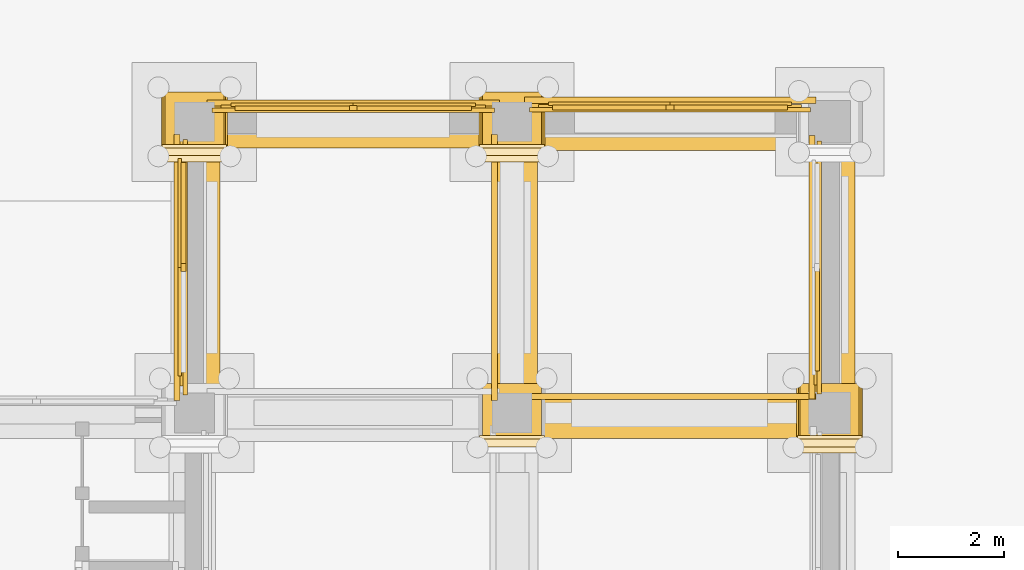
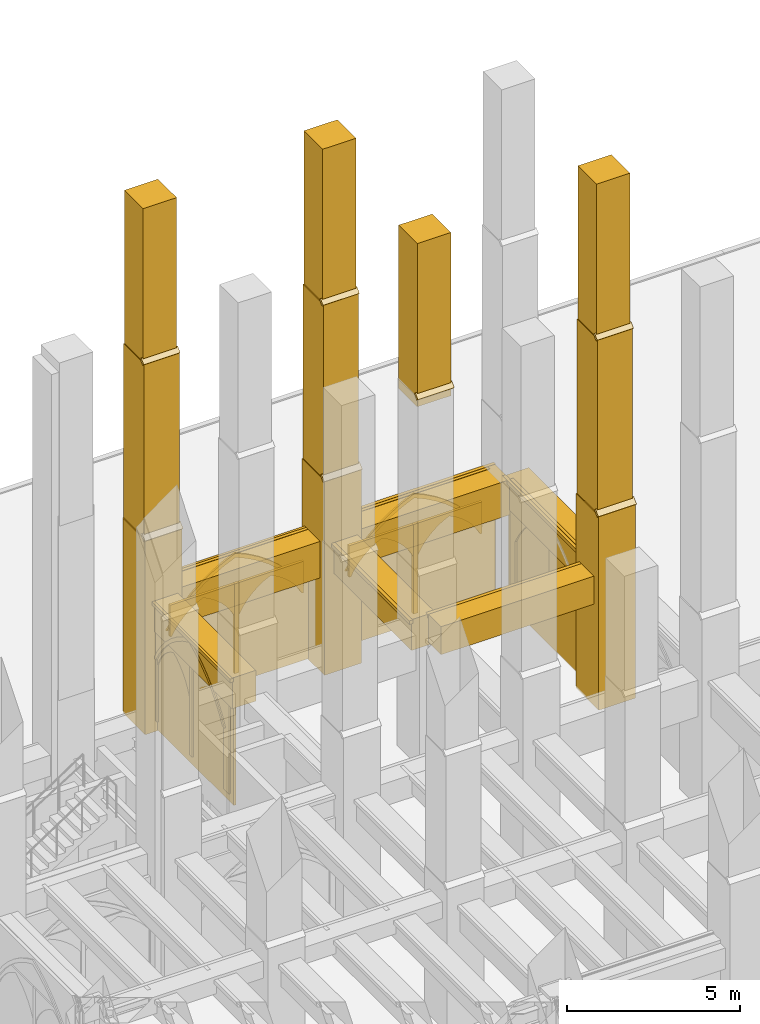
# One storey, part 130 of 135: 49 coverings.
"""IFC4 building model written with IfcOpenShell, lengths in metres."""

from ifc_helpers import new_model, si_unit, direction, frame, origin, origin_2d, place, context, subcontext, project, spatial, polyline, rectangle, outline, extrude, material, type_object, element, save


model = new_model("IFC4")

# Units and contexts
model_context = context("Model", 3, precision=1e-05, world=origin(), true_north=direction((0.0, 1.0)))
body_context = subcontext(model_context, "Body", "Model", "MODEL_VIEW")
ifc_project = project(units=[si_unit("LENGTHUNIT", "METRE"), si_unit("AREAUNIT", "SQUARE_METRE"), si_unit("VOLUMEUNIT", "CUBIC_METRE"), si_unit("PLANEANGLEUNIT", "RADIAN"), si_unit("MASSUNIT", "GRAM", prefix="KILO")], contexts=[model_context])

# Site, building, storey
site_placement = place(None, origin())
site = spatial("IfcSite", under=ifc_project, at=site_placement, CompositionType="ELEMENT")
building_placement = place(site_placement, origin())
building = spatial("IfcBuilding", under=site, at=building_placement, Name="Cumevento Cable Car Station", CompositionType="ELEMENT")
storey_placement = place(building_placement, origin())
storey = spatial("IfcBuildingStorey", under=building, at=storey_placement, Name="L01", CompositionType="ELEMENT", Elevation=0.0)

# Coverings
ifc_material = material(Name="Gnaisse Facoidal Stone Ashlar 85 MPa", Category="masonry")
covering_type = type_object("IfcCoveringType", Name="Gnaisse Ashlar Cladding CV-CL01", PredefinedType="CLADDING", material=ifc_material)
covering_1_placement = place(storey_placement, frame((130.0, 56.409912109375, -0.06005859375), z_axis=(0.0, 0.0, 1.0), x_axis=(1.0, 0.0, 0.0)))
element("IfcCovering", 1, at=covering_1_placement, inside=storey, type_object=covering_type, Name="Stepped Gothic Stone Buttress Tier 1 bt:130.0:56.5", PredefinedType="CLADDING", context=body_context, shape_type="SweptSolid", body=[
    extrude(rectangle(XDim=1.239990234375, YDim=1.300048828125, at=origin_2d()), origin(), (0.0, 0.0, 1.0), 6.885498046875),
])
covering_2_placement = place(storey_placement, frame((129.360107421875, 55.739990234375, 6.8056640625), z_axis=(0.0, -0.711135781079, 0.703054692658), x_axis=(1.0, 0.0, 0.0)))
element("IfcCovering", 2, at=covering_2_placement, inside=storey, type_object=covering_type, Name="Gothic Buttress Sloped Stone Weathering 1 bt:130.0:56.5", PredefinedType="CLADDING", context=body_context, shape_type="SweptSolid", body=[
    extrude(outline(polyline([(0.0, 0.0), (1.27978515625, 0.0), (1.27978515625, 0.24169083397703695), (0.0, 0.24169083397703695), (0.0, 0.0)])), origin(), (0.0, 0.0, -1.0), 0.090087890625),
])
covering_3_placement = place(storey_placement, frame((130.0, 56.469970703125, 6.46337890625), z_axis=(0.0, 0.0, 1.0), x_axis=(1.0, 0.0, 0.0)))
element("IfcCovering", 3, at=covering_3_placement, inside=storey, type_object=covering_type, Name="Stepped Gothic Stone Buttress Tier 2 bt:130.0:56.5", PredefinedType="CLADDING", context=body_context, shape_type="SweptSolid", body=[
    extrude(rectangle(XDim=1.179931640625, YDim=1.179931640625, at=origin_2d()), origin(), (0.0, 0.0, 1.0), 6.523193359375),
])
covering_4_placement = place(storey_placement, frame((129.389892578125, 55.860107421875, 12.96630859375), z_axis=(0.0, -0.714474823669, 0.699661151089), x_axis=(1.0, 0.0, 0.0)))
element("IfcCovering", 4, at=covering_4_placement, inside=storey, type_object=covering_type, Name="Gothic Buttress Sloped Stone Weathering 2 bt:130.0:56.5", PredefinedType="CLADDING", context=body_context, shape_type="SweptSolid", body=[
    extrude(outline(polyline([(0.0, 0.0), (1.22021484375, 0.0), (1.22021484375, 0.21424991728737655), (0.0, 0.21424991728737655), (0.0, 0.0)])), origin(), (0.0, 0.0, -1.0), 0.090087890625),
])
covering_5_placement = place(storey_placement, frame((130.0, 56.52001953125, 12.6240234375), z_axis=(0.0, 0.0, 1.0), x_axis=(1.0, 0.0, 0.0)))
element("IfcCovering", 5, at=covering_5_placement, inside=storey, type_object=covering_type, Name="Stepped Gothic Stone Buttress Tier 3 bt:130.0:56.5", PredefinedType="CLADDING", context=body_context, shape_type="SweptSolid", body=[
    extrude(rectangle(XDim=1.1201171875, YDim=1.080078125, at=origin_2d()), origin(), (0.0, 0.0, 1.0), 5.77587890625),
])
covering_6_placement = place(storey_placement, frame((135.389892578125, 50.360107421875, 12.96630859375), z_axis=(0.0, -0.714474823669, 0.699661151089), x_axis=(1.0, 0.0, 0.0)))
element("IfcCovering", 6, at=covering_6_placement, inside=storey, type_object=covering_type, Name="Gothic Buttress Sloped Stone Weathering 2 bt:136.0:51.0", PredefinedType="CLADDING", context=body_context, shape_type="SweptSolid", body=[
    extrude(outline(polyline([(0.0, 0.0), (1.22021484375, 0.0), (1.22021484375, 0.21424991728737655), (0.0, 0.21424991728737655), (0.0, 0.0)])), origin(), (0.0, 0.0, -1.0), 0.090087890625),
])
covering_7_placement = place(storey_placement, frame((136.0, 51.02001953125, 12.6240234375), z_axis=(0.0, 0.0, 1.0), x_axis=(1.0, 0.0, 0.0)))
element("IfcCovering", 7, at=covering_7_placement, inside=storey, type_object=covering_type, Name="Stepped Gothic Stone Buttress Tier 3 bt:136.0:51.0", PredefinedType="CLADDING", context=body_context, shape_type="SweptSolid", body=[
    extrude(rectangle(XDim=1.1201171875, YDim=1.080078125, at=origin_2d()), origin(), (0.0, 0.0, 1.0), 5.77587890625),
])
covering_8_placement = place(storey_placement, frame((136.0, 56.409912109375, -0.06005859375), z_axis=(0.0, 0.0, 1.0), x_axis=(1.0, 0.0, 0.0)))
element("IfcCovering", 8, at=covering_8_placement, inside=storey, type_object=covering_type, Name="Stepped Gothic Stone Buttress Tier 1 bt:136.0:56.5", PredefinedType="CLADDING", context=body_context, shape_type="SweptSolid", body=[
    extrude(rectangle(XDim=1.239990234375, YDim=1.300048828125, at=origin_2d()), origin(), (0.0, 0.0, 1.0), 6.885498046875),
])
covering_9_placement = place(storey_placement, frame((135.360107421875, 55.739990234375, 6.8056640625), z_axis=(0.0, -0.711135781079, 0.703054692658), x_axis=(1.0, 0.0, 0.0)))
element("IfcCovering", 9, at=covering_9_placement, inside=storey, type_object=covering_type, Name="Gothic Buttress Sloped Stone Weathering 1 bt:136.0:56.5", PredefinedType="CLADDING", context=body_context, shape_type="SweptSolid", body=[
    extrude(outline(polyline([(0.0, 0.0), (1.27978515625, 0.0), (1.27978515625, 0.24169083397703695), (0.0, 0.24169083397703695), (0.0, 0.0)])), origin(), (0.0, 0.0, -1.0), 0.090087890625),
])
covering_10_placement = place(storey_placement, frame((136.0, 56.469970703125, 6.46337890625), z_axis=(0.0, 0.0, 1.0), x_axis=(1.0, 0.0, 0.0)))
element("IfcCovering", 10, at=covering_10_placement, inside=storey, type_object=covering_type, Name="Stepped Gothic Stone Buttress Tier 2 bt:136.0:56.5", PredefinedType="CLADDING", context=body_context, shape_type="SweptSolid", body=[
    extrude(rectangle(XDim=1.179931640625, YDim=1.179931640625, at=origin_2d()), origin(), (0.0, 0.0, 1.0), 6.523193359375),
])
covering_11_placement = place(storey_placement, frame((135.389892578125, 55.860107421875, 12.96630859375), z_axis=(0.0, -0.714474823669, 0.699661151089), x_axis=(1.0, 0.0, 0.0)))
element("IfcCovering", 11, at=covering_11_placement, inside=storey, type_object=covering_type, Name="Gothic Buttress Sloped Stone Weathering 2 bt:136.0:56.5", PredefinedType="CLADDING", context=body_context, shape_type="SweptSolid", body=[
    extrude(outline(polyline([(0.0, 0.0), (1.22021484375, 0.0), (1.22021484375, 0.21424991728737655), (0.0, 0.21424991728737655), (0.0, 0.0)])), origin(), (0.0, 0.0, -1.0), 0.090087890625),
])
covering_12_placement = place(storey_placement, frame((136.0, 56.52001953125, 12.6240234375), z_axis=(0.0, 0.0, 1.0), x_axis=(1.0, 0.0, 0.0)))
element("IfcCovering", 12, at=covering_12_placement, inside=storey, type_object=covering_type, Name="Stepped Gothic Stone Buttress Tier 3 bt:136.0:56.5", PredefinedType="CLADDING", context=body_context, shape_type="SweptSolid", body=[
    extrude(rectangle(XDim=1.1201171875, YDim=1.080078125, at=origin_2d()), origin(), (0.0, 0.0, 1.0), 5.77587890625),
])
covering_13_placement = place(storey_placement, frame((142.0, 50.909912109375, -0.06005859375), z_axis=(0.0, 0.0, 1.0), x_axis=(1.0, 0.0, 0.0)))
element("IfcCovering", 13, at=covering_13_placement, inside=storey, type_object=covering_type, Name="Stepped Gothic Stone Buttress Tier 1 bt:142.0:51.0", PredefinedType="CLADDING", context=body_context, shape_type="SweptSolid", body=[
    extrude(rectangle(XDim=1.239990234375, YDim=1.300048828125, at=origin_2d()), origin(), (0.0, 0.0, 1.0), 6.885498046875),
])
covering_14_placement = place(storey_placement, frame((141.360107421875, 50.239990234375, 6.8056640625), z_axis=(0.0, -0.711135781079, 0.703054692658), x_axis=(1.0, 0.0, 0.0)))
element("IfcCovering", 14, at=covering_14_placement, inside=storey, type_object=covering_type, Name="Gothic Buttress Sloped Stone Weathering 1 bt:142.0:51.0", PredefinedType="CLADDING", context=body_context, shape_type="SweptSolid", body=[
    extrude(outline(polyline([(0.0, 0.0), (1.27978515625, 0.0), (1.27978515625, 0.24169083397703695), (0.0, 0.24169083397703695), (0.0, 0.0)])), origin(), (0.0, 0.0, -1.0), 0.090087890625),
])
covering_15_placement = place(storey_placement, frame((142.0, 50.969970703125, 6.46337890625), z_axis=(0.0, 0.0, 1.0), x_axis=(1.0, 0.0, 0.0)))
element("IfcCovering", 15, at=covering_15_placement, inside=storey, type_object=covering_type, Name="Stepped Gothic Stone Buttress Tier 2 bt:142.0:51.0", PredefinedType="CLADDING", context=body_context, shape_type="SweptSolid", body=[
    extrude(rectangle(XDim=1.179931640625, YDim=1.179931640625, at=origin_2d()), origin(), (0.0, 0.0, 1.0), 6.523193359375),
])
covering_16_placement = place(storey_placement, frame((141.389892578125, 50.360107421875, 12.96630859375), z_axis=(0.0, -0.714474823669, 0.699661151089), x_axis=(1.0, 0.0, 0.0)))
element("IfcCovering", 16, at=covering_16_placement, inside=storey, type_object=covering_type, Name="Gothic Buttress Sloped Stone Weathering 2 bt:142.0:51.0", PredefinedType="CLADDING", context=body_context, shape_type="SweptSolid", body=[
    extrude(outline(polyline([(0.0, 0.0), (1.22021484375, 0.0), (1.22021484375, 0.21424991728737655), (0.0, 0.21424991728737655), (0.0, 0.0)])), origin(), (0.0, 0.0, -1.0), 0.090087890625),
])
covering_17_placement = place(storey_placement, frame((142.0, 51.02001953125, 12.6240234375), z_axis=(0.0, 0.0, 1.0), x_axis=(1.0, 0.0, 0.0)))
element("IfcCovering", 17, at=covering_17_placement, inside=storey, type_object=covering_type, Name="Stepped Gothic Stone Buttress Tier 3 bt:142.0:51.0", PredefinedType="CLADDING", context=body_context, shape_type="SweptSolid", body=[
    extrude(rectangle(XDim=1.1201171875, YDim=1.080078125, at=origin_2d()), origin(), (0.0, 0.0, 1.0), 5.77587890625),
])
covering_18_placement = place(storey_placement, frame((138.987548828125, 50.89990234375, 3.5400390625), z_axis=(0.0, 0.0, 1.0), x_axis=(1.0, 0.0, 0.0)))
element("IfcCovering", 18, at=covering_18_placement, inside=storey, type_object=covering_type, Name="Gothic Stone Spandrel Stringcourse sc:0234", PredefinedType="CLADDING", context=body_context, shape_type="SweptSolid", body=[
    extrude(rectangle(XDim=5.465087890625, YDim=0.760009765625, at=origin_2d()), origin(), (0.0, 0.0, 1.0), 0.989990234375),
])
covering_19_placement = place(storey_placement, frame((138.987548828125, 51.3076171875, 4.400146484375), z_axis=(0.0, 0.0, 1.0), x_axis=(1.0, 0.0, 0.0)))
element("IfcCovering", 19, at=covering_19_placement, inside=storey, type_object=covering_type, Name="Gothic Cornice Dripstone Lip sc:0234", PredefinedType="CLADDING", context=body_context, shape_type="SweptSolid", body=[
    extrude(rectangle(XDim=5.5048828125, YDim=0.114990234375, at=origin_2d()), origin(), (0.0, 0.0, 1.0), 0.1298828125),
])
covering_20_placement = place(storey_placement, frame((133.0, 56.419921875, 3.239990234375), z_axis=(0.0, 0.0, 1.0), x_axis=(1.0, 0.0, 0.0)))
element("IfcCovering", 20, at=covering_20_placement, inside=storey, type_object=covering_type, Name="Gothic Stone Spandrel Stringcourse sc:0235", PredefinedType="CLADDING", context=body_context, shape_type="SweptSolid", body=[
    extrude(rectangle(XDim=5.489990234375, YDim=0.820068359375, at=origin_2d()), origin(), (0.0, 0.0, 1.0), 1.2900390625),
])
covering_21_placement = place(storey_placement, frame((133.0, 56.857421875, 4.400146484375), z_axis=(0.0, 0.0, 1.0), x_axis=(1.0, 0.0, 0.0)))
element("IfcCovering", 21, at=covering_21_placement, inside=storey, type_object=covering_type, Name="Gothic Cornice Dripstone Lip sc:0235", PredefinedType="CLADDING", context=body_context, shape_type="SweptSolid", body=[
    extrude(rectangle(XDim=5.530029296875, YDim=0.114990234375, at=origin_2d()), origin(), (0.0, 0.0, 1.0), 0.1298828125),
])
covering_22_placement = place(storey_placement, frame((138.987548828125, 56.419921875, 3.2900390625), z_axis=(0.0, 0.0, 1.0), x_axis=(1.0, 0.0, 0.0)))
element("IfcCovering", 22, at=covering_22_placement, inside=storey, type_object=covering_type, Name="Gothic Stone Spandrel Stringcourse sc:0236", PredefinedType="CLADDING", context=body_context, shape_type="SweptSolid", body=[
    extrude(rectangle(XDim=5.465087890625, YDim=0.919921875, at=origin_2d()), origin(), (0.0, 0.0, 1.0), 1.239990234375),
])
covering_23_placement = place(storey_placement, frame((138.987548828125, 56.907470703125, 4.400146484375), z_axis=(0.0, 0.0, 1.0), x_axis=(1.0, 0.0, 0.0)))
element("IfcCovering", 23, at=covering_23_placement, inside=storey, type_object=covering_type, Name="Gothic Cornice Dripstone Lip sc:0236", PredefinedType="CLADDING", context=body_context, shape_type="SweptSolid", body=[
    extrude(rectangle(XDim=5.5048828125, YDim=0.114990234375, at=origin_2d()), origin(), (0.0, 0.0, 1.0), 0.1298828125),
])
covering_24_placement = place(storey_placement, frame((130.08740234375, 53.75, 3.47802734375), z_axis=(0.0, 0.0, 1.0), x_axis=(0.0, 1.0, 0.0)))
element("IfcCovering", 24, at=covering_24_placement, inside=storey, type_object=covering_type, Name="Gothic Stone Spandrel Stringcourse sc:0237", PredefinedType="CLADDING", context=body_context, shape_type="SweptSolid", body=[
    extrude(rectangle(XDim=4.989990234375, YDim=0.784912109375, at=origin_2d()), origin(), (0.0, 0.0, 1.0), 1.090087890625),
])
covering_25_placement = place(storey_placement, frame((129.66748046875, 53.75, 4.43798828125), z_axis=(0.0, 0.0, 1.0), x_axis=(0.0, 1.0, 0.0)))
element("IfcCovering", 25, at=covering_25_placement, inside=storey, type_object=covering_type, Name="Gothic Cornice Dripstone Lip sc:0237", PredefinedType="CLADDING", context=body_context, shape_type="SweptSolid", body=[
    extrude(rectangle(XDim=5.030029296875, YDim=0.114990234375, at=origin_2d()), origin(), (0.0, 0.0, 1.0), 0.1298828125),
])
covering_26_placement = place(storey_placement, frame((136.08740234375, 53.75, 3.43994140625), z_axis=(0.0, 0.0, 1.0), x_axis=(0.0, 1.0, 0.0)))
element("IfcCovering", 26, at=covering_26_placement, inside=storey, type_object=covering_type, Name="Gothic Stone Spandrel Stringcourse sc:0239", PredefinedType="CLADDING", context=body_context, shape_type="SweptSolid", body=[
    extrude(rectangle(XDim=4.989990234375, YDim=0.784912109375, at=origin_2d()), origin(), (0.0, 0.0, 1.0), 1.090087890625),
])
covering_27_placement = place(storey_placement, frame((135.66748046875, 53.75, 4.400146484375), z_axis=(0.0, 0.0, 1.0), x_axis=(0.0, 1.0, 0.0)))
element("IfcCovering", 27, at=covering_27_placement, inside=storey, type_object=covering_type, Name="Gothic Cornice Dripstone Lip sc:0239", PredefinedType="CLADDING", context=body_context, shape_type="SweptSolid", body=[
    extrude(rectangle(XDim=5.030029296875, YDim=0.114990234375, at=origin_2d()), origin(), (0.0, 0.0, 1.0), 0.1298828125),
])
covering_28_placement = place(storey_placement, frame((142.08740234375, 53.75, 3.43994140625), z_axis=(0.0, 0.0, 1.0), x_axis=(0.0, 1.0, 0.0)))
element("IfcCovering", 28, at=covering_28_placement, inside=storey, type_object=covering_type, Name="Gothic Stone Spandrel Stringcourse sc:0241", PredefinedType="CLADDING", context=body_context, shape_type="SweptSolid", body=[
    extrude(rectangle(XDim=4.93994140625, YDim=0.784912109375, at=origin_2d()), origin(), (0.0, 0.0, 1.0), 1.090087890625),
])
covering_29_placement = place(storey_placement, frame((141.66748046875, 53.75, 4.400146484375), z_axis=(0.0, 0.0, 1.0), x_axis=(0.0, 1.0, 0.0)))
element("IfcCovering", 29, at=covering_29_placement, inside=storey, type_object=covering_type, Name="Gothic Cornice Dripstone Lip sc:0241", PredefinedType="CLADDING", context=body_context, shape_type="SweptSolid", body=[
    extrude(rectangle(XDim=4.97998046875, YDim=0.114990234375, at=origin_2d()), origin(), (0.0, 0.0, 1.0), 0.1298828125),
])
covering_30_placement = place(storey_placement, frame((130.375, 56.5, 0.0), z_axis=(0.0, 0.0, 1.0), x_axis=(1.0, 0.0, 0.0)))
element("IfcCovering", 30, at=covering_30_placement, inside=storey, type_object=covering_type, Name="Exterior Gnaisse Stone Wall Ashlar #100", PredefinedType="CLADDING", context=body_context, shape_type="SweptSolid", body=[
    extrude(outline(polyline([(-0.0400390625, -0.02001953125), (5.2900390625, -0.02001953125), (5.2900390625, 4.52001953125), (-0.0400390625, 4.52001953125), (-0.0400390625, -0.02001953125)])), frame((0.0, 0.262451171875, 0.0), z_axis=(0.0, -1.0, 0.0), x_axis=(1.0, 0.0, 0.0)), (0.0, 0.0, 1.0), 0.0849609375),
])
placement_1 = place(storey_placement, frame((130.554931640625, 56.5, 0.300048828125), z_axis=(0.0, 0.0, 1.0), x_axis=(1.0, 0.0, 0.0)))
element("IfcCovering", 31, at=placement_1, inside=storey, type_object=covering_type, Name="Gothic Ogival Pointed-Arch Stone Spandrel blind_ogival:0100", PredefinedType="CLADDING", context=body_context, shape_type="SweptSolid", body=[
    extrude(outline(polyline([(-0.050048828125, 0.0), (-0.050048828125, 4.239990234375), (4.93994140625, 4.239990234375), (4.93994140625, 0.0), (4.6298828125, 0.0), (4.6298828125, 2.219970703125), (4.394287109375, 2.556884765625), (4.12939453125, 2.871337890625), (3.8369140625, 3.160400390625), (3.51953125, 3.421630859375), (3.179931640625, 3.6533203125), (2.82080078125, 3.853271484375), (2.445068359375, 4.02001953125), (2.069091796875, 3.853271484375), (1.7099609375, 3.6533203125), (1.370361328125, 3.421630859375), (1.052978515625, 3.160400390625), (0.760498046875, 2.871337890625), (0.49560546875, 2.556884765625), (0.260009765625, 2.219970703125), (0.260009765625, 0.0), (-0.050048828125, 0.0)])), frame((0.0, 0.3173828125, 0.0), z_axis=(0.0, -1.0, 0.0), x_axis=(1.0, 0.0, 0.0)), (0.0, 0.0, 1.0), 0.110107421875),
])
covering_32_placement = place(storey_placement, frame((130.554931640625, 56.5, 2.52001953125), z_axis=(0.0, 0.0, 1.0), x_axis=(1.0, 0.0, 0.0)))
element("IfcCovering", 32, at=covering_32_placement, inside=storey, type_object=covering_type, Name="Gothic Pointed Archivolt Hood Moulding blind_ogival:0100", PredefinedType="CLADDING", context=body_context, shape_type="SweptSolid", body=[
    extrude(outline(polyline([(0.260009765625, 0.0), (0.49560546875, 0.3369140625), (0.760498046875, 0.6513671875), (1.052978515625, 0.9404296875), (1.370361328125, 1.20166015625), (1.7099609375, 1.433349609375), (2.069091796875, 1.63330078125), (2.445068359375, 1.800048828125), (2.82080078125, 1.63330078125), (3.179931640625, 1.433349609375), (3.51953125, 1.20166015625), (3.8369140625, 0.9404296875), (4.12939453125, 0.6513671875), (4.394287109375, 0.3369140625), (4.6298828125, 0.0), (4.7509765625, 0.0), (4.506103515625, 0.3642578125), (4.228759765625, 0.70458984375), (3.921142578125, 1.017822265625), (3.5859375, 1.301513671875), (3.226318359375, 1.552978515625), (2.8447265625, 1.77001953125), (2.445068359375, 1.951171875), (2.045166015625, 1.77001953125), (1.66357421875, 1.552978515625), (1.303955078125, 1.301513671875), (0.96875, 1.017822265625), (0.6611328125, 0.70458984375), (0.3837890625, 0.3642578125), (0.138916015625, 0.0), (0.260009765625, 0.0)])), frame((0.0, 0.359619140625, 0.0), z_axis=(0.0, -1.0, 0.0), x_axis=(1.0, 0.0, 0.0)), (0.0, 0.0, 1.0), 0.06689453125),
])
element("IfcCovering", 33, at=placement_1, inside=storey, type_object=covering_type, Name="Gothic Bifora Stone Colonnette blind_ogival:0100 #1", PredefinedType="CLADDING", context=body_context, shape_type="SweptSolid", body=[
    extrude(outline(polyline([(2.3701171875, -0.02001953125), (2.52001953125, -0.02001953125), (2.52001953125, 3.156005859375), (2.3701171875, 3.156005859375), (2.3701171875, -0.02001953125)])), frame((0.0, 0.305419921875, 0.0), z_axis=(0.0, -1.0, 0.0), x_axis=(1.0, 0.0, 0.0)), (0.0, 0.0, 1.0), 0.094970703125),
])
for number, where, z_axis, x_axis, name in (
    (34, (130.784912109375, 56.5, 2.340087890625), (0.0, 0.0, 1.0), (1.0, 0.0, 0.0), "Gothic Ogival Pointed-Arch Stone Spandrel blind_ogival:0100:sub:0"),
    (35, (133.044921875, 56.5, 2.340087890625), (0.0, 0.0, 1.0), (1.0, 0.0, 0.0), "Gothic Ogival Pointed-Arch Stone Spandrel blind_ogival:0100:sub:1"),
):
    element("IfcCovering", number, at=place(storey_placement, frame(where, z_axis=z_axis, x_axis=x_axis)), inside=storey, type_object=covering_type, Name=name, PredefinedType="CLADDING", context=body_context, shape_type="SweptSolid", body=[
        extrude(outline(polyline([(-0.02001953125, 0.0), (-0.02001953125, 1.115966796875), (2.18994140625, 1.115966796875), (2.18994140625, 0.0), (2.1298828125, 0.0), (2.008544921875, 0.21337890625), (1.863037109375, 0.4111328125), (1.695556640625, 0.59033203125), (1.50830078125, 0.7490234375), (1.3037109375, 0.885009765625), (1.0849609375, 0.99609375), (0.8662109375, 0.885009765625), (0.66162109375, 0.7490234375), (0.474365234375, 0.59033203125), (0.306884765625, 0.4111328125), (0.161376953125, 0.21337890625), (0.0400390625, 0.0), (-0.02001953125, 0.0)])), frame((0.0, 0.301513671875, 0.0), z_axis=(0.0, -1.0, 0.0), x_axis=(1.0, 0.0, 0.0)), (0.0, 0.0, 1.0), 0.090087890625),
    ])
covering_34_placement = place(storey_placement, frame((136.375, 56.5, 0.0), z_axis=(0.0, 0.0, 1.0), x_axis=(1.0, 0.0, 0.0)))
element("IfcCovering", 36, at=covering_34_placement, inside=storey, type_object=covering_type, Name="Exterior Gnaisse Stone Wall Ashlar #101", PredefinedType="CLADDING", context=body_context, shape_type="SweptSolid", body=[
    extrude(outline(polyline([(-0.0400390625, -0.02001953125), (5.264892578125, -0.02001953125), (5.264892578125, 4.52001953125), (-0.0400390625, 4.52001953125), (-0.0400390625, -0.02001953125)])), frame((0.0, 0.27490234375, 0.0), z_axis=(0.0, -1.0, 0.0), x_axis=(1.0, 0.0, 0.0)), (0.0, 0.0, 1.0), 0.0849609375),
])
placement_2 = place(storey_placement, frame((136.554931640625, 56.5, 0.300048828125), z_axis=(0.0, 0.0, 1.0), x_axis=(1.0, 0.0, 0.0)))
element("IfcCovering", 37, at=placement_2, inside=storey, type_object=covering_type, Name="Gothic Ogival Pointed-Arch Stone Spandrel blind_ogival:0101", PredefinedType="CLADDING", context=body_context, shape_type="SweptSolid", body=[
    extrude(outline(polyline([(-0.050048828125, 0.0), (-0.050048828125, 4.239990234375), (4.9150390625, 4.239990234375), (4.9150390625, 0.0), (4.60498046875, 0.0), (4.60498046875, 2.219970703125), (4.37158203125, 2.556884765625), (4.1083984375, 2.87109375), (3.81787109375, 3.159912109375), (3.50244140625, 3.42138671875), (3.16455078125, 3.653076171875), (2.806884765625, 3.853271484375), (2.4326171875, 4.02001953125), (2.05810546875, 3.853271484375), (1.700439453125, 3.653076171875), (1.362548828125, 3.42138671875), (1.047119140625, 3.159912109375), (0.756591796875, 2.87109375), (0.493408203125, 2.556884765625), (0.260009765625, 2.219970703125), (0.260009765625, 0.0), (-0.050048828125, 0.0)])), frame((0.0, 0.330078125, 0.0), z_axis=(0.0, -1.0, 0.0), x_axis=(1.0, 0.0, 0.0)), (0.0, 0.0, 1.0), 0.110107421875),
])
covering_36_placement = place(storey_placement, frame((136.554931640625, 56.5, 2.52001953125), z_axis=(0.0, 0.0, 1.0), x_axis=(1.0, 0.0, 0.0)))
element("IfcCovering", 38, at=covering_36_placement, inside=storey, type_object=covering_type, Name="Gothic Pointed Archivolt Hood Moulding blind_ogival:0101", PredefinedType="CLADDING", context=body_context, shape_type="SweptSolid", body=[
    extrude(outline(polyline([(0.260009765625, 0.0), (0.493408203125, 0.3369140625), (0.756591796875, 0.651123046875), (1.047119140625, 0.93994140625), (1.362548828125, 1.201416015625), (1.700439453125, 1.43310546875), (2.05810546875, 1.63330078125), (2.4326171875, 1.800048828125), (2.806884765625, 1.63330078125), (3.16455078125, 1.43310546875), (3.50244140625, 1.201416015625), (3.81787109375, 0.93994140625), (4.1083984375, 0.651123046875), (4.37158203125, 0.3369140625), (4.60498046875, 0.0), (4.72607421875, 0.0), (4.483154296875, 0.3642578125), (4.207763671875, 0.704345703125), (3.902099609375, 1.017578125), (3.56884765625, 1.301025390625), (3.210693359375, 1.552734375), (2.830810546875, 1.77001953125), (2.4326171875, 1.951171875), (2.0341796875, 1.77001953125), (1.654296875, 1.552734375), (1.296142578125, 1.301025390625), (0.962890625, 1.017578125), (0.6572265625, 0.704345703125), (0.3818359375, 0.3642578125), (0.138916015625, 0.0), (0.260009765625, 0.0)])), frame((0.0, 0.3720703125, 0.0), z_axis=(0.0, -1.0, 0.0), x_axis=(1.0, 0.0, 0.0)), (0.0, 0.0, 1.0), 0.06689453125),
])
element("IfcCovering", 39, at=placement_2, inside=storey, type_object=covering_type, Name="Gothic Bifora Stone Colonnette blind_ogival:0101 #1", PredefinedType="CLADDING", context=body_context, shape_type="SweptSolid", body=[
    extrude(outline(polyline([(2.357421875, -0.02001953125), (2.507568359375, -0.02001953125), (2.507568359375, 3.156005859375), (2.357421875, 3.156005859375), (2.357421875, -0.02001953125)])), frame((0.0, 0.318115234375, 0.0), z_axis=(0.0, -1.0, 0.0), x_axis=(1.0, 0.0, 0.0)), (0.0, 0.0, 1.0), 0.094970703125),
])
for number, where, z_axis, x_axis, name in (
    (40, (136.784912109375, 56.5, 2.340087890625), (0.0, 0.0, 1.0), (1.0, 0.0, 0.0), "Gothic Ogival Pointed-Arch Stone Spandrel blind_ogival:0101:sub:0"),
    (41, (139.032470703125, 56.5, 2.340087890625), (0.0, 0.0, 1.0), (1.0, 0.0, 0.0), "Gothic Ogival Pointed-Arch Stone Spandrel blind_ogival:0101:sub:1"),
):
    element("IfcCovering", number, at=place(storey_placement, frame(where, z_axis=z_axis, x_axis=x_axis)), inside=storey, type_object=covering_type, Name=name, PredefinedType="CLADDING", context=body_context, shape_type="SweptSolid", body=[
        extrude(outline(polyline([(-0.02001953125, 0.0), (-0.02001953125, 1.115966796875), (2.177490234375, 1.115966796875), (2.177490234375, 0.0), (2.117431640625, 0.0), (1.997314453125, 0.213134765625), (1.85302734375, 0.410888671875), (1.6865234375, 0.59033203125), (1.500244140625, 0.7490234375), (1.296875, 0.884765625), (1.078857421875, 0.99609375), (0.860595703125, 0.884765625), (0.6572265625, 0.7490234375), (0.470947265625, 0.59033203125), (0.304443359375, 0.410888671875), (0.16015625, 0.213134765625), (0.0400390625, 0.0), (-0.02001953125, 0.0)])), frame((0.0, 0.31396484375, 0.0), z_axis=(0.0, -1.0, 0.0), x_axis=(1.0, 0.0, 0.0)), (0.0, 0.0, 1.0), 0.090087890625),
    ])
covering_38_placement = place(storey_placement, frame((130.0, 51.375, 0.0), z_axis=(0.0, 0.0, 1.0), x_axis=(0.0, 1.0, 0.0)))
element("IfcCovering", 42, at=covering_38_placement, inside=storey, type_object=covering_type, Name="Exterior Gnaisse Stone Wall Ashlar #102", PredefinedType="CLADDING", context=body_context, shape_type="SweptSolid", body=[
    extrude(outline(polyline([(-0.0400390625, -0.02001953125), (4.7900390625, -0.02001953125), (4.7900390625, 4.52001953125), (-0.0400390625, 4.52001953125), (-0.0400390625, -0.02001953125)])), frame((0.0, 0.215087890625, 0.0), z_axis=(0.0, -1.0, 0.0), x_axis=(1.0, 0.0, 0.0)), (0.0, 0.0, 1.0), 0.0849609375),
])
placement_3 = place(storey_placement, frame((130.0, 51.554931640625, 0.300048828125), z_axis=(0.0, 0.0, 1.0), x_axis=(0.0, 1.0, 0.0)))
element("IfcCovering", 43, at=placement_3, inside=storey, type_object=covering_type, Name="Gothic Ogival Pointed-Arch Stone Spandrel blind_ogival:0102", PredefinedType="CLADDING", context=body_context, shape_type="SweptSolid", body=[
    extrude(outline(polyline([(-0.050048828125, 0.0), (-0.050048828125, 4.239990234375), (4.43994140625, 4.239990234375), (4.43994140625, 0.0), (4.1298828125, 0.0), (4.1298828125, 2.219970703125), (3.9365234375, 2.552978515625), (3.71142578125, 2.865234375), (3.456787109375, 3.15380859375), (3.1748046875, 3.416015625), (2.86865234375, 3.649169921875), (2.540771484375, 3.85107421875), (2.195068359375, 4.02001953125), (1.84912109375, 3.85107421875), (1.521240234375, 3.649169921875), (1.215087890625, 3.416015625), (0.93310546875, 3.15380859375), (0.678466796875, 2.865234375), (0.453369140625, 2.552978515625), (0.260009765625, 2.219970703125), (0.260009765625, 0.0), (-0.050048828125, 0.0)])), frame((0.0, 0.27001953125, 0.0), z_axis=(0.0, -1.0, 0.0), x_axis=(1.0, 0.0, 0.0)), (0.0, 0.0, 1.0), 0.110107421875),
])
covering_40_placement = place(storey_placement, frame((130.0, 51.554931640625, 2.52001953125), z_axis=(0.0, 0.0, 1.0), x_axis=(0.0, 1.0, 0.0)))
element("IfcCovering", 44, at=covering_40_placement, inside=storey, type_object=covering_type, Name="Gothic Pointed Archivolt Hood Moulding blind_ogival:0102", PredefinedType="CLADDING", context=body_context, shape_type="SweptSolid", body=[
    extrude(outline(polyline([(0.260009765625, 0.0), (0.453369140625, 0.3330078125), (0.678466796875, 0.645263671875), (0.93310546875, 0.933837890625), (1.215087890625, 1.196044921875), (1.521240234375, 1.42919921875), (1.84912109375, 1.631103515625), (2.195068359375, 1.800048828125), (2.540771484375, 1.631103515625), (2.86865234375, 1.42919921875), (3.1748046875, 1.196044921875), (3.456787109375, 0.933837890625), (3.71142578125, 0.645263671875), (3.9365234375, 0.3330078125), (4.1298828125, 0.0), (4.2509765625, 0.0), (4.04833984375, 0.360107421875), (3.81103515625, 0.6982421875), (3.541259765625, 1.010986328125), (3.24169921875, 1.29541015625), (2.9150390625, 1.548583984375), (2.565185546875, 1.767822265625), (2.195068359375, 1.951171875), (1.82470703125, 1.767822265625), (1.474853515625, 1.548583984375), (1.148193359375, 1.29541015625), (0.8486328125, 1.010986328125), (0.578857421875, 0.6982421875), (0.341552734375, 0.360107421875), (0.138916015625, 0.0), (0.260009765625, 0.0)])), frame((0.0, 0.31201171875, 0.0), z_axis=(0.0, -1.0, 0.0), x_axis=(1.0, 0.0, 0.0)), (0.0, 0.0, 1.0), 0.06689453125),
])
element("IfcCovering", 45, at=placement_3, inside=storey, type_object=covering_type, Name="Gothic Bifora Stone Colonnette blind_ogival:0102 #1", PredefinedType="CLADDING", context=body_context, shape_type="SweptSolid", body=[
    extrude(outline(polyline([(2.1201171875, -0.02001953125), (2.27001953125, -0.02001953125), (2.27001953125, 3.156005859375), (2.1201171875, 3.156005859375), (2.1201171875, -0.02001953125)])), frame((0.0, 0.258056640625, 0.0), z_axis=(0.0, -1.0, 0.0), x_axis=(1.0, 0.0, 0.0)), (0.0, 0.0, 1.0), 0.094970703125),
])
covering_42_placement = place(storey_placement, frame((130.0, 53.794921875, 2.340087890625), z_axis=(0.0, 0.0, 1.0), x_axis=(0.0, 1.0, 0.0)))
element("IfcCovering", 46, at=covering_42_placement, inside=storey, type_object=covering_type, Name="Gothic Ogival Pointed-Arch Stone Spandrel blind_ogival:0102:sub:1", PredefinedType="CLADDING", context=body_context, shape_type="SweptSolid", body=[
    extrude(outline(polyline([(-0.02001953125, 0.0), (-0.02001953125, 1.115966796875), (1.93994140625, 1.115966796875), (1.93994140625, 0.0), (1.8798828125, 0.0), (1.78369140625, 0.21044921875), (1.661376953125, 0.40673828125), (1.515625, 0.58642578125), (1.34814453125, 0.74609375), (1.161865234375, 0.88330078125), (0.9599609375, 0.99609375), (0.758056640625, 0.88330078125), (0.57177734375, 0.74609375), (0.404296875, 0.58642578125), (0.258544921875, 0.40673828125), (0.13623046875, 0.21044921875), (0.0400390625, 0.0), (-0.02001953125, 0.0)])), frame((0.0, 0.25390625, 0.0), z_axis=(0.0, -1.0, 0.0), x_axis=(1.0, 0.0, 0.0)), (0.0, 0.0, 1.0), 0.090087890625),
])
covering_43_placement = place(storey_placement, frame((142.0, 51.39990234375, 0.0), z_axis=(0.0, 0.0, 1.0), x_axis=(0.0, 1.0, 0.0)))
element("IfcCovering", 47, at=covering_43_placement, inside=storey, type_object=covering_type, Name="Exterior Gnaisse Stone Wall Ashlar #104", PredefinedType="CLADDING", context=body_context, shape_type="SweptSolid", body=[
    extrude(outline(polyline([(-0.0400390625, -0.02001953125), (4.739990234375, -0.02001953125), (4.739990234375, 4.52001953125), (-0.0400390625, 4.52001953125), (-0.0400390625, -0.02001953125)])), frame((0.0, 0.237548828125, 0.0), z_axis=(0.0, -1.0, 0.0), x_axis=(1.0, 0.0, 0.0)), (0.0, 0.0, 1.0), 0.0849609375),
])
covering_44_placement = place(storey_placement, frame((142.0, 51.580078125, 0.300048828125), z_axis=(0.0, 0.0, 1.0), x_axis=(0.0, 1.0, 0.0)))
element("IfcCovering", 48, at=covering_44_placement, inside=storey, type_object=covering_type, Name="Gothic Ogival Pointed-Arch Stone Spandrel blind_ogival:0104", PredefinedType="CLADDING", context=body_context, shape_type="SweptSolid", body=[
    extrude(outline(polyline([(-0.050048828125, 0.0), (-0.050048828125, 4.239990234375), (4.389892578125, 4.239990234375), (4.389892578125, 0.0), (4.080078125, 0.0), (4.080078125, 2.219970703125), (3.89111328125, 2.552490234375), (3.669921875, 2.864501953125), (3.4189453125, 3.153076171875), (3.140625, 3.415283203125), (2.837646484375, 3.648681640625), (2.51318359375, 3.85107421875), (2.169921875, 4.02001953125), (1.826904296875, 3.85107421875), (1.50244140625, 3.648681640625), (1.199462890625, 3.415283203125), (0.921142578125, 3.153076171875), (0.670166015625, 2.864501953125), (0.448974609375, 2.552490234375), (0.260009765625, 2.219970703125), (0.260009765625, 0.0), (-0.050048828125, 0.0)])), frame((0.0, 0.29248046875, 0.0), z_axis=(0.0, -1.0, 0.0), x_axis=(1.0, 0.0, 0.0)), (0.0, 0.0, 1.0), 0.110107421875),
])
covering_45_placement = place(storey_placement, frame((142.0, 51.81005859375, 2.340087890625), z_axis=(0.0, 0.0, 1.0), x_axis=(0.0, 1.0, 0.0)))
element("IfcCovering", 49, at=covering_45_placement, inside=storey, type_object=covering_type, Name="Gothic Ogival Pointed-Arch Stone Spandrel blind_ogival:0104:sub:0", PredefinedType="CLADDING", context=body_context, shape_type="SweptSolid", body=[
    extrude(outline(polyline([(-0.02001953125, 0.0), (-0.02001953125, 1.115966796875), (1.9150390625, 1.115966796875), (1.9150390625, 0.0), (1.85498046875, 0.0), (1.76123046875, 0.2099609375), (1.6416015625, 0.40625), (1.497802734375, 0.5859375), (1.332275390625, 0.74560546875), (1.14794921875, 0.883056640625), (0.947509765625, 0.99609375), (0.7470703125, 0.883056640625), (0.562744140625, 0.74560546875), (0.397216796875, 0.5859375), (0.25341796875, 0.40625), (0.1337890625, 0.2099609375), (0.0400390625, 0.0), (-0.02001953125, 0.0)])), frame((0.0, 0.276611328125, 0.0), z_axis=(0.0, -1.0, 0.0), x_axis=(1.0, 0.0, 0.0)), (0.0, 0.0, 1.0), 0.090087890625),
])

save(model, "model.ifc")
